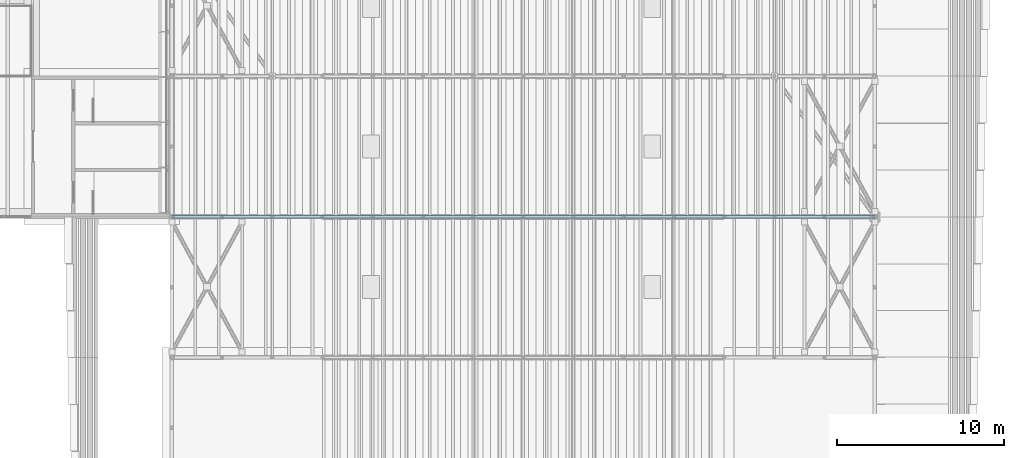
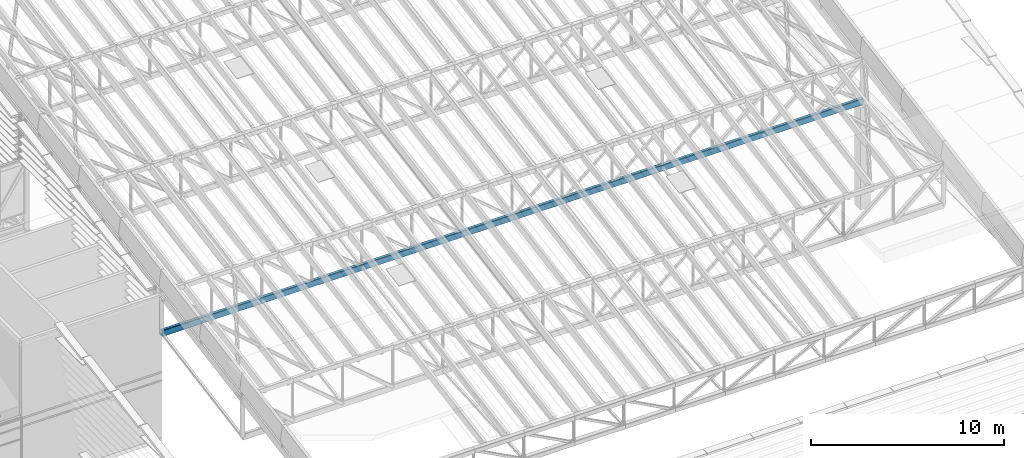
# One storey, part 17 of 91: 1 member.
"""IFC4 building model written with IfcOpenShell, lengths in metres."""

from ifc_helpers import new_model, si_unit, direction, frame, origin, origin_2d, place, context, subcontext, project, spatial, hollow_rectangle, extrude, material, material_profile, profile_set, type_object, element, save


model = new_model("IFC4")

# Units and contexts
model_context = context("Model", 3, precision=1e-05, world=origin(), true_north=direction((0.0, 1.0)))
body_context = subcontext(model_context, "Body", "Model", "MODEL_VIEW")
ifc_project = project(units=[si_unit("LENGTHUNIT", "METRE"), si_unit("AREAUNIT", "SQUARE_METRE"), si_unit("VOLUMEUNIT", "CUBIC_METRE"), si_unit("PLANEANGLEUNIT", "RADIAN"), si_unit("MASSUNIT", "GRAM", prefix="KILO")], contexts=[model_context])

# Site, building, storey
site_placement = place(None, origin())
site = spatial("IfcSite", under=ifc_project, at=site_placement, CompositionType="ELEMENT")
building_placement = place(site_placement, origin())
building = spatial("IfcBuilding", under=site, at=building_placement, Name="Almond Square Museum", CompositionType="ELEMENT")
storey_placement = place(building_placement, frame((0.0, 0.0, 30.0)))
storey = spatial("IfcBuildingStorey", under=building, at=storey_placement, Name="L05", CompositionType="ELEMENT", Elevation=30.0)

# Member
ifc_material = material(Name="Structural steel S355", Category="steel")
ifc_material_profile = material_profile(ifc_material, hollow_rectangle(XDim=0.199951171875, YDim=0.39990234375, WallThickness=0.012451171875, InnerFilletRadius=0.02490234375, OuterFilletRadius=0.03759765625, at=origin_2d()))
ifc_profile_set = profile_set([ifc_material_profile], Name="Structural steel S355")
member_type = type_object("IfcMemberType", Name="Truss chord RHS 400x200x12.5", PredefinedType="CHORD", material=ifc_profile_set)
member_placement = place(storey_placement, frame((106.800048828125, 67.199951171875, 6.639892578125), z_axis=(1.0, 0.0, 0.0), x_axis=(0.0, 1.0, 0.0)))
element("IfcMember", 1, at=member_placement, inside=storey, type_object=member_type, Name="TR-03 bottom chord 1 to 14", PredefinedType="CHORD", context=body_context, shape_type="SweptSolid", body=[
    extrude(hollow_rectangle(XDim=0.199951171875, YDim=0.39990234375, WallThickness=0.012451171875, InnerFilletRadius=0.02490234375, OuterFilletRadius=0.03759765625, at=origin_2d()), origin(), (0.0, 0.0, 1.0), 42.0),
])

save(model, "model.ifc")
